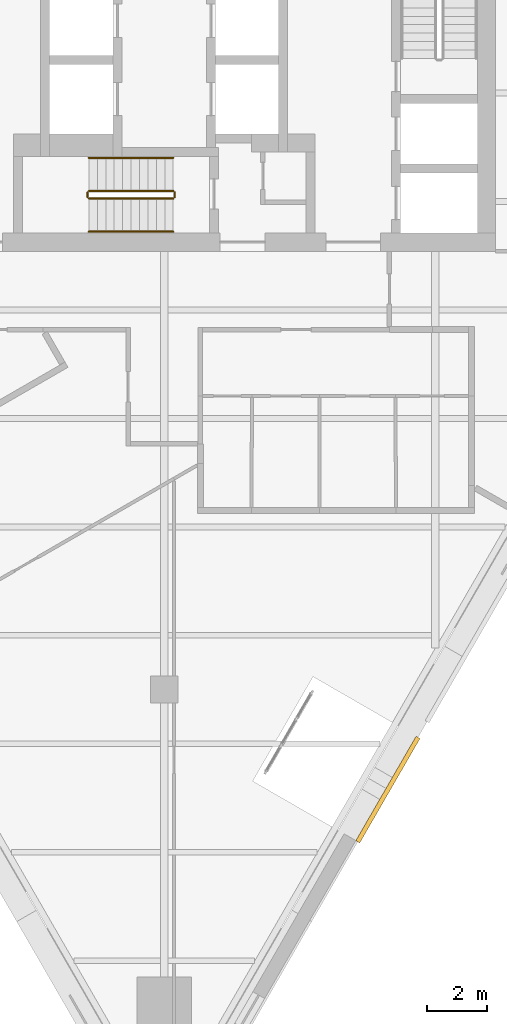
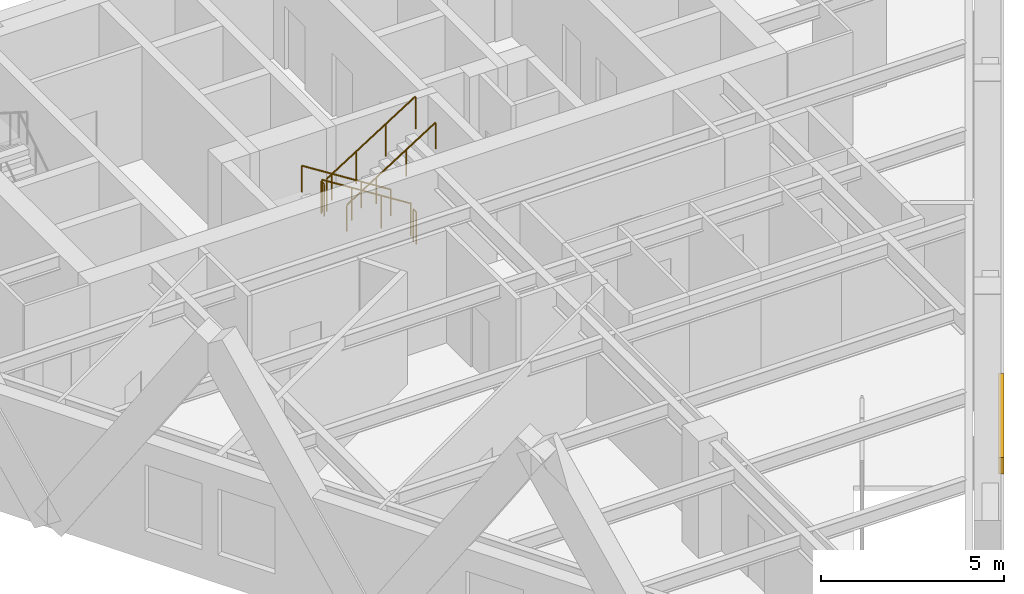
# One storey, part 9 of 11: 6 railings, 1 covering.
"""IFC4 building model written with IfcOpenShell, lengths in metres."""

from ifc_helpers import new_model, si_unit, direction, frame, origin, origin_2d, place, context, subcontext, project, spatial, polyline, circle, outline, extrude, material, layer, layer_set, type_object, element, save


model = new_model("IFC4")

# Units and contexts
model_context = context("Model", 3, precision=1e-05, world=origin(), true_north=direction((0.0, 1.0)))
body_context = subcontext(model_context, "Body", "Model", "MODEL_VIEW")
ifc_project = project(units=[si_unit("LENGTHUNIT", "METRE"), si_unit("AREAUNIT", "SQUARE_METRE"), si_unit("VOLUMEUNIT", "CUBIC_METRE"), si_unit("PLANEANGLEUNIT", "RADIAN"), si_unit("MASSUNIT", "GRAM", prefix="KILO")], contexts=[model_context])

# Site, building, storey
site_placement = place(None, origin())
site = spatial("IfcSite", under=ifc_project, at=site_placement, CompositionType="ELEMENT")
building_placement = place(site_placement, origin())
building = spatial("IfcBuilding", under=site, at=building_placement, Name="Aloe Facet Convention Tower", CompositionType="ELEMENT")
storey_placement = place(building_placement, frame((0.0, 0.0, 167.60009765625)))
storey = spatial("IfcBuildingStorey", under=building, at=storey_placement, Name="L42", CompositionType="ELEMENT", Elevation=167.60009765625)

# Railings
ifc_material_1 = material(Name="Steel S355 balustrade", Category="steel")
railing_type_1 = type_object("IfcRailingType", Name="CR-RL-GUARD", PredefinedType="GUARDRAIL", material=ifc_material_1)
railing_1_placement = place(storey_placement, frame((80.300048828125, 124.550048828125, 0.17724609375)))
element("IfcRailing", 1, at=railing_1_placement, inside=storey, type_object=railing_type_1, Name="L42 ST3 stair guard 1", PredefinedType="GUARDRAIL", context=body_context, shape_type="SweptSolid", body=[
    extrude(circle(Radius=0.02392578125, at=origin_2d()), frame((0.0, 0.0, 1.076171875), z_axis=(-0.844908973607, 0.0, 0.534910110503), x_axis=(0.0, -1.0, 0.0)), (0.0, 0.0, 1.0), 3.31396484375),
    extrude(circle(Radius=0.02099609375, at=origin_2d()), origin(), (0.0, 0.0, 1.0), 1.052001953125),
    extrude(circle(Radius=0.02099609375, at=origin_2d()), frame((-0.933349609375, 0.0, 0.5908203125)), (0.0, 0.0, 1.0), 1.052001953125),
    extrude(circle(Radius=0.02099609375, at=origin_2d()), frame((-1.86669921875, 0.0, 1.181884765625)), (0.0, 0.0, 1.0), 1.052001953125),
    extrude(circle(Radius=0.02099609375, at=origin_2d()), frame((-2.800048828125, 0.0, 1.772705078125)), (0.0, 0.0, 1.0), 1.052001953125),
])
railing_2_placement = place(storey_placement, frame((77.449951171875, 124.5, 1.949951171875)))
element("IfcRailing", 2, at=railing_2_placement, inside=storey, type_object=railing_type_1, Name="L42 ST3 stair guard 2", PredefinedType="GUARDRAIL", context=body_context, shape_type="SweptSolid", body=[
    extrude(circle(Radius=0.02392578125, at=origin_2d()), frame((0.0, 0.0, 1.076171875), z_axis=(0.0, -1.0, 0.0), x_axis=(1.0, 0.0, 0.0)), (0.0, 0.0, 1.0), 0.14990234375),
    extrude(circle(Radius=0.02099609375, at=origin_2d()), origin(), (0.0, 0.0, 1.0), 1.052001953125),
    extrude(circle(Radius=0.02099609375, at=origin_2d()), frame((0.0, -0.14990234375, 0.0)), (0.0, 0.0, 1.0), 1.052001953125),
])
railing_3_placement = place(storey_placement, frame((77.5, 124.300048828125, 2.127197265625)))
element("IfcRailing", 3, at=railing_3_placement, inside=storey, type_object=railing_type_1, Name="L42 ST3 stair guard 3", PredefinedType="GUARDRAIL", context=body_context, shape_type="SweptSolid", body=[
    extrude(circle(Radius=0.02392578125, at=origin_2d()), frame((0.0, 0.0, 1.076171875), z_axis=(0.844908973607, 0.0, 0.534910110503), x_axis=(0.0, 1.0, 0.0)), (0.0, 0.0, 1.0), 3.31396484375),
    extrude(circle(Radius=0.02099609375, at=origin_2d()), origin(), (0.0, 0.0, 1.0), 1.052001953125),
    extrude(circle(Radius=0.02099609375, at=origin_2d()), frame((0.933349609375, 0.0, 0.5908203125)), (0.0, 0.0, 1.0), 1.052001953125),
    extrude(circle(Radius=0.02099609375, at=origin_2d()), frame((1.86669921875, 0.0, 1.181884765625)), (0.0, 0.0, 1.0), 1.052001953125),
    extrude(circle(Radius=0.02099609375, at=origin_2d()), frame((2.800048828125, 0.0, 1.772705078125)), (0.0, 0.0, 1.0), 1.052001953125),
])
railing_4_placement = place(storey_placement, frame((80.35009765625, 124.5, 0.0)))
element("IfcRailing", 4, at=railing_4_placement, inside=storey, type_object=railing_type_1, Name="L42 ST3 stair guard 4", PredefinedType="GUARDRAIL", context=body_context, shape_type="SweptSolid", body=[
    extrude(circle(Radius=0.02392578125, at=origin_2d()), frame((0.0, 0.0, 1.076171875), z_axis=(0.0, -1.0, 0.0), x_axis=(1.0, 0.0, 0.0)), (0.0, 0.0, 1.0), 0.14990234375),
    extrude(circle(Radius=0.02099609375, at=origin_2d()), origin(), (0.0, 0.0, 1.0), 1.052001953125),
    extrude(circle(Radius=0.02099609375, at=origin_2d()), frame((0.0, -0.14990234375, 0.0)), (0.0, 0.0, 1.0), 1.052001953125),
])
ifc_material_2 = material(Name="Steel S355 handrail", Category="steel")
railing_type_2 = type_object("IfcRailingType", Name="CR-RL-HAND", PredefinedType="HANDRAIL", material=ifc_material_2)
railing_5_placement = place(storey_placement, frame((80.300048828125, 125.64990234375, 0.17724609375)))
element("IfcRailing", 5, at=railing_5_placement, inside=storey, type_object=railing_type_2, Name="L42 ST3 stair handrail 1", PredefinedType="HANDRAIL", context=body_context, shape_type="SweptSolid", body=[
    extrude(circle(Radius=0.02392578125, at=origin_2d()), frame((0.0, 0.0, 0.8759765625), z_axis=(-0.844908973607, 0.0, 0.534910110503), x_axis=(0.0, -1.0, 0.0)), (0.0, 0.0, 1.0), 3.31396484375),
    extrude(circle(Radius=0.02099609375, at=origin_2d()), origin(), (0.0, 0.0, 1.0), 0.851806640625),
    extrude(circle(Radius=0.02099609375, at=origin_2d()), frame((-0.933349609375, 0.0, 0.5908203125)), (0.0, 0.0, 1.0), 0.851806640625),
    extrude(circle(Radius=0.02099609375, at=origin_2d()), frame((-1.86669921875, 0.0, 1.181884765625)), (0.0, 0.0, 1.0), 0.851806640625),
    extrude(circle(Radius=0.02099609375, at=origin_2d()), frame((-2.800048828125, 0.0, 1.772705078125)), (0.0, 0.0, 1.0), 0.851806640625),
])
railing_6_placement = place(storey_placement, frame((77.5, 123.199951171875, 2.127197265625)))
element("IfcRailing", 6, at=railing_6_placement, inside=storey, type_object=railing_type_2, Name="L42 ST3 stair handrail 2", PredefinedType="HANDRAIL", context=body_context, shape_type="SweptSolid", body=[
    extrude(circle(Radius=0.02392578125, at=origin_2d()), frame((0.0, 0.0, 0.8759765625), z_axis=(0.844908973607, 0.0, 0.534910110503), x_axis=(0.0, 1.0, 0.0)), (0.0, 0.0, 1.0), 3.31396484375),
    extrude(circle(Radius=0.02099609375, at=origin_2d()), origin(), (0.0, 0.0, 1.0), 0.851806640625),
    extrude(circle(Radius=0.02099609375, at=origin_2d()), frame((0.933349609375, 0.0, 0.5908203125)), (0.0, 0.0, 1.0), 0.851806640625),
    extrude(circle(Radius=0.02099609375, at=origin_2d()), frame((1.86669921875, 0.0, 1.181884765625)), (0.0, 0.0, 1.0), 0.851806640625),
    extrude(circle(Radius=0.02099609375, at=origin_2d()), frame((2.800048828125, 0.0, 1.772705078125)), (0.0, 0.0, 1.0), 0.851806640625),
])

# Covering
ifc_material_3 = material(Name="Bronze oxide fascia sheet")
ifc_layer = layer(ifc_material_3, 0.14990234375)
ifc_layer_set = layer_set([ifc_layer], Name="EV-FASCIA-TERR")
covering_type = type_object("IfcCoveringType", Name="EV-FASCIA-TERR", PredefinedType="CLADDING", material=ifc_layer_set)
covering_placement = place(storey_placement, frame((0.0, 0.0, 3.199951171875)))
element("IfcCovering", 7, at=covering_placement, inside=storey, type_object=covering_type, Name="Terrace fascia T09 head", PredefinedType="CLADDING", context=body_context, shape_type="SweptSolid", body=[
    extrude(outline(polyline([(86.49072265625, 102.91259765625), (88.49072265625, 106.376708984375), (88.36083984375, 106.451904296875), (86.36083984375, 102.98779296875), (86.49072265625, 102.91259765625)])), origin(), (0.0, 0.0, 1.0), 0.550048828125),
])

save(model, "model.ifc")
